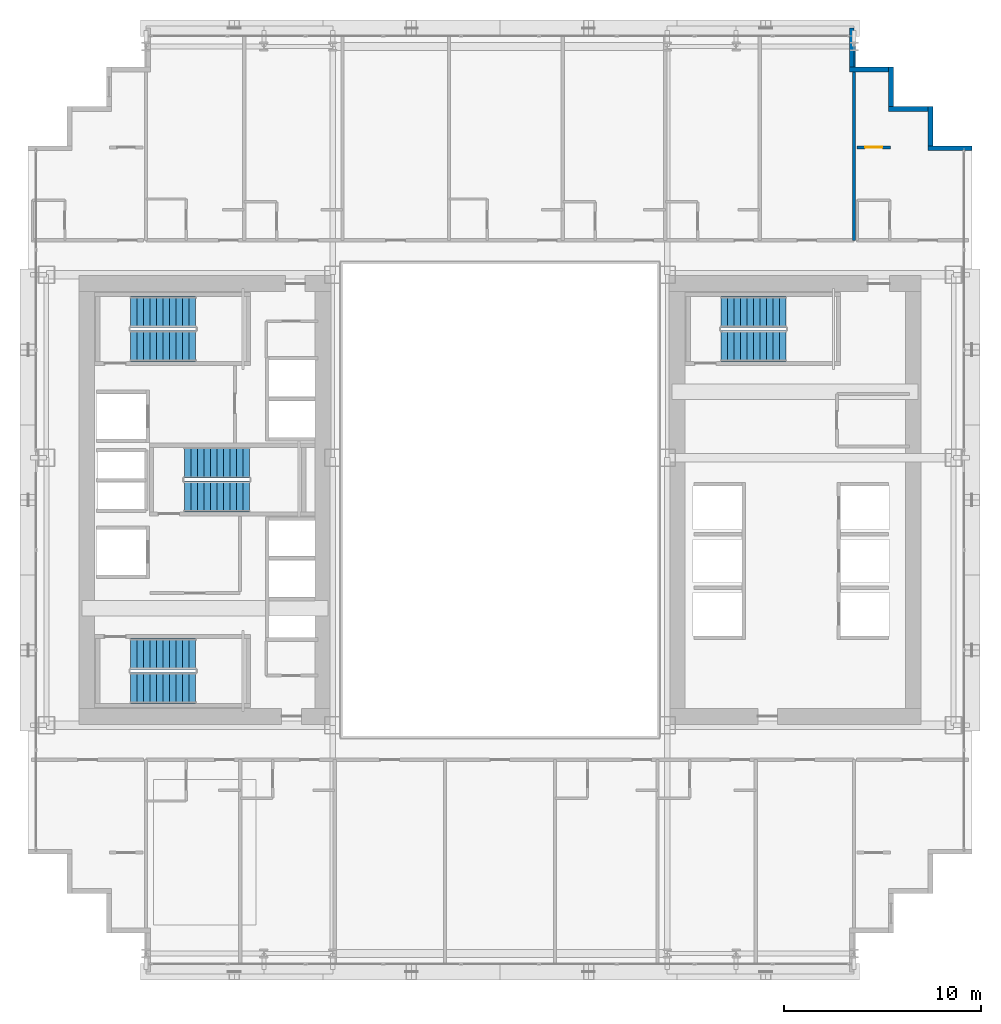
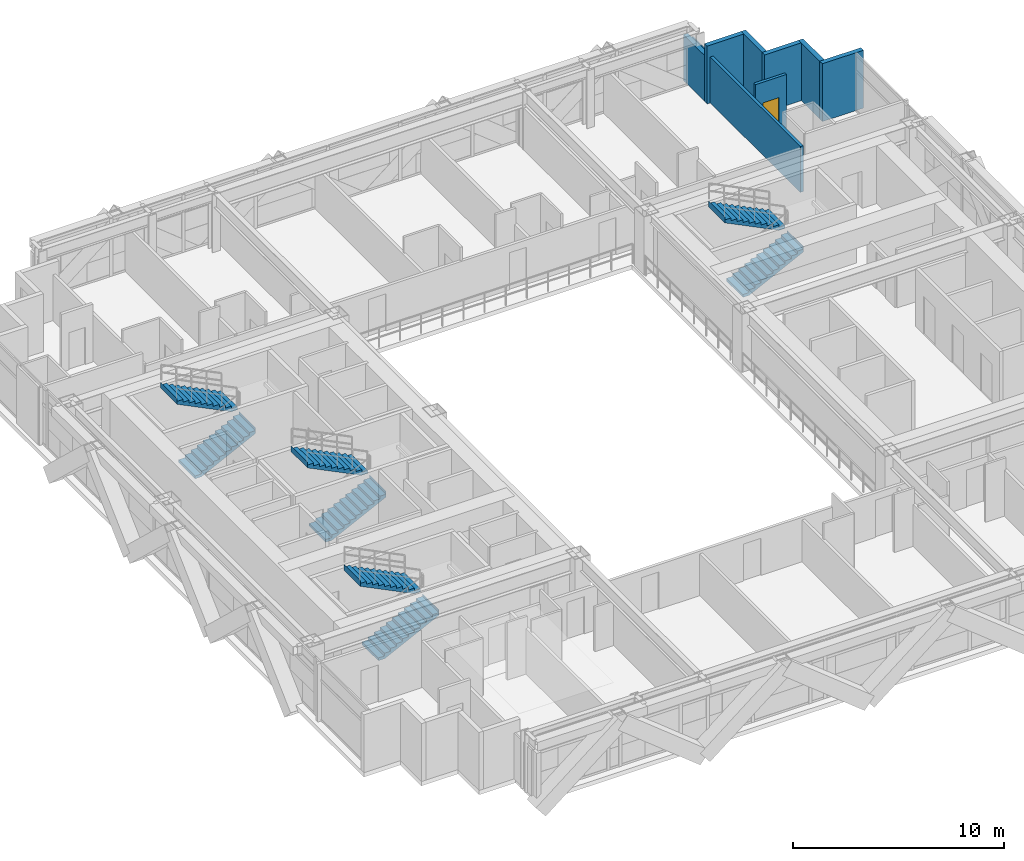
# One storey, part 31 of 35: 8 stair flights, 8 walls, 1 door, 1 opening, 4 elements without a shape of their own.
"""IFC4 building model written with IfcOpenShell, lengths in metres."""

import ifcopenshell
import ifcopenshell.guid

model = None  # the IFC model being written
_history = None  # IfcOwnerHistory: only IFC2X3 demands one
_inside = {}  # id of a spatial element -> (the spatial element, [elements in it])
_under = {}  # id of a project, library or spatial element -> (it, [spatial elements below it])
_declared = {}  # id of a project -> (the project, [libraries it declares])
_typed = {}  # id of a type object -> (the type object, [elements of that type])
_made_of = {}  # id of a material, layer set ... -> (it, [elements and type objects made of it])


def new_model(schema):
    """Start an empty IFC model of exactly this schema.

    Asked for "IFC4X3", IfcOpenShell would pick the latest addendum, in which some entities
    have other attributes; the version numbers below select the first issue.
    IFC2X3 requires an IfcOwnerHistory on every rooted entity: one is made here for all.
    """
    global model, _history
    if schema == "IFC4X3":
        model = ifcopenshell.file(schema_version=(4, 3, 0, 0))
    else:
        model = ifcopenshell.file(schema=schema)
    _inside.clear()
    _under.clear()
    _declared.clear()
    _typed.clear()
    _made_of.clear()
    _history = None
    if model.schema == "IFC2X3":
        org = make("IfcOrganization", Name="unknown")
        user = make(
            "IfcPersonAndOrganization",
            ThePerson=make("IfcPerson", FamilyName="unknown"),
            TheOrganization=org,
        )
        app = make(
            "IfcApplication",
            ApplicationDeveloper=org,
            Version="unknown",
            ApplicationFullName="unknown",
            ApplicationIdentifier="unknown",
        )
        _history = make(
            "IfcOwnerHistory",
            OwningUser=user,
            OwningApplication=app,
            ChangeAction="ADDED",
            CreationDate=0,
        )
    return model


def make(cls, **values):
    """One entity of the class cls with the attributes given. An attribute that is None is left unset."""
    return model.create_entity(
        cls, **{name: value for name, value in values.items() if value is not None}
    )


def rooted(cls, **values):
    """An entity with a GlobalId (a new one), such as an element, a storey or a relation."""
    return make(cls, GlobalId=ifcopenshell.guid.new(), OwnerHistory=_history, **values)


def si_unit(unit_type, name, prefix=None):
    """IfcSIUnit, for example si_unit("LENGTHUNIT", "METRE", prefix="MILLI")."""
    return make("IfcSIUnit", UnitType=unit_type, Prefix=prefix, Name=name)


def assignment(units):
    """IfcUnitAssignment: the units of a project."""
    return None if units is None else make("IfcUnitAssignment", Units=units)


def point(xyz):
    """IfcCartesianPoint."""
    return None if xyz is None else make("IfcCartesianPoint", Coordinates=xyz)


def direction(xyz):
    """IfcDirection."""
    return None if xyz is None else make("IfcDirection", DirectionRatios=xyz)


def frame(location, z_axis=None, x_axis=None):
    """IfcAxis2Placement3D, a coordinate frame: its origin and axes. An axis left out is left unset."""
    return make(
        "IfcAxis2Placement3D",
        Location=point(location),
        Axis=direction(z_axis),
        RefDirection=direction(x_axis),
    )


def frame_2d(location, x_axis=None):
    """IfcAxis2Placement2D, a coordinate frame in the plane: its origin and x axis."""
    return make(
        "IfcAxis2Placement2D", Location=point(location), RefDirection=direction(x_axis)
    )


def origin():
    """The frame at (0, 0, 0) with its axes left unset."""
    return frame((0.0, 0.0, 0.0))


def place(relative_to, where):
    """IfcLocalPlacement: puts the frame where relative to a parent placement (None: the world)."""
    return make(
        "IfcLocalPlacement", PlacementRelTo=relative_to, RelativePlacement=where
    )


def context(
    kind, dimensions, precision=None, world=None, true_north=None, identifier=None
):
    """IfcGeometricRepresentationContext, for example the 3D "Model" context."""
    return make(
        "IfcGeometricRepresentationContext",
        ContextIdentifier=identifier,
        ContextType=kind,
        CoordinateSpaceDimension=dimensions,
        Precision=precision,
        WorldCoordinateSystem=world,
        TrueNorth=true_north,
    )


def subcontext(parent, identifier, kind, view, scale=None):
    """IfcGeometricRepresentationSubContext, for example "Body" below "Model"."""
    return make(
        "IfcGeometricRepresentationSubContext",
        ContextIdentifier=identifier,
        ContextType=kind,
        ParentContext=parent,
        TargetScale=scale,
        TargetView=view,
    )


def project(units=None, contexts=None):
    """IfcProject with its units and contexts."""
    return rooted(
        "IfcProject",
        Name="project",
        RepresentationContexts=contexts,
        UnitsInContext=assignment(units),
    )


def spatial(cls, under=None, at=None, **own):
    """A site, building, storey or space (cls), placed at a placement, below another one or the project."""
    s = rooted(cls, ObjectPlacement=at, **own)
    if under is not None:
        _under.setdefault(under.id(), (under, []))[1].append(s)
    return s


def polyline(points):
    """IfcPolyline through the points."""
    return make("IfcPolyline", Points=[point(p) for p in points])


def profile(cls, at=None, kind="AREA", **sizes):
    """A parametric profile (cls). Its sizes go by their IFC names, for example OverallWidth=200.0."""
    return make(cls, ProfileType=kind, Position=at, **sizes)


def rectangle(**sizes):
    """IfcRectangleProfileDef."""
    return profile("IfcRectangleProfileDef", **sizes)


def outline(outer, holes=None, kind="AREA"):
    """IfcArbitraryClosedProfileDef: a profile drawn as a closed curve; with holes, ...WithVoids."""
    if holes is None:
        return make("IfcArbitraryClosedProfileDef", ProfileType=kind, OuterCurve=outer)
    return make(
        "IfcArbitraryProfileDefWithVoids",
        ProfileType=kind,
        OuterCurve=outer,
        InnerCurves=holes,
    )


def extrude(swept, where, along, depth):
    """IfcExtrudedAreaSolid: the profile swept, set in the frame where, extruded along a direction by depth."""
    return make(
        "IfcExtrudedAreaSolid",
        SweptArea=swept,
        Position=where,
        ExtrudedDirection=direction(along),
        Depth=depth,
    )


def shape(context_of_items, identifier, shape_type, items):
    """IfcShapeRepresentation: the items that make up one representation, for example the "Body"."""
    return make(
        "IfcShapeRepresentation",
        ContextOfItems=context_of_items,
        RepresentationIdentifier=identifier,
        RepresentationType=shape_type,
        Items=items,
    )


def source(mapping_origin, context_of_items, identifier, shape_type, items):
    """IfcRepresentationMap: a shape defined once, which mapped items show again and again."""
    return make(
        "IfcRepresentationMap",
        MappingOrigin=mapping_origin,
        MappedRepresentation=shape(context_of_items, identifier, shape_type, items),
    )


def transform(
    local_origin,
    x_axis=None,
    y_axis=None,
    z_axis=None,
    scale=None,
    scale2=None,
    scale3=None,
    uniform=True,
):
    """IfcCartesianTransformationOperator3D, or its non-uniform kind. x_axis, y_axis, z_axis: its Axis1, 2, 3."""
    if uniform:
        return make(
            "IfcCartesianTransformationOperator3D",
            Axis1=direction(x_axis),
            Axis2=direction(y_axis),
            LocalOrigin=point(local_origin),
            Scale=scale,
            Axis3=direction(z_axis),
        )
    return make(
        "IfcCartesianTransformationOperator3DnonUniform",
        Axis1=direction(x_axis),
        Axis2=direction(y_axis),
        LocalOrigin=point(local_origin),
        Scale=scale,
        Axis3=direction(z_axis),
        Scale2=scale2,
        Scale3=scale3,
    )


def mapped(mapping_source, mapping_target):
    """IfcMappedItem: shows the shape of a source again, moved by a transform."""
    return make(
        "IfcMappedItem", MappingSource=mapping_source, MappingTarget=mapping_target
    )


def material(Name=None, Category=None):
    """IfcMaterial."""
    return make("IfcMaterial", Name=Name, Category=Category)


def layer(
    of_material, thickness, ventilated=None, Name=None, Category=None, Priority=None
):
    """IfcMaterialLayer: one layer of a wall or slab, of a material (None: an air gap)."""
    return make(
        "IfcMaterialLayer",
        Material=of_material,
        LayerThickness=thickness,
        IsVentilated=ventilated,
        Name=Name,
        Category=Category,
        Priority=Priority,
    )


def layer_set(layers, Name=None):
    """IfcMaterialLayerSet."""
    return make("IfcMaterialLayerSet", MaterialLayers=layers, LayerSetName=Name)


def made_of(thing, what):
    """Note that an element or type object is made of a material, layer set ...; save() writes the relation."""
    if what is not None:
        _made_of.setdefault(what.id(), (what, []))[1].append(thing)
    return thing


def type_object(cls, material=None, **own):
    """A type object (cls), such as IfcWallType, which elements share."""
    return made_of(rooted(cls, **own), material)


def element(
    cls,
    number,
    at=None,
    inside=None,
    cuts=None,
    type_object=None,
    material=None,
    context=None,
    identifier="Body",
    shape_type=None,
    held_by="IfcProductDefinitionShape",
    body=None,
    shapes=None,
    **own,
):
    """One element of the class cls, such as IfcWall. Its Tag is "e" and its number.

    at: its placement. inside: the storey or other place that contains it. cuts: it is an
    opening in that element (IfcRelVoidsElement). A single representation is given by context,
    identifier, shape_type and body (its items); several are given by shapes. held_by: the class
    of the entity that holds the representations. save() writes the other relations.
    """
    e = rooted(cls, Tag="e%d" % number, ObjectPlacement=at, **own)
    if body is not None:
        shapes = [shape(context, identifier, shape_type, body)]
    if shapes is not None:
        e.Representation = make(held_by, Representations=shapes)
    if inside is not None:
        _inside.setdefault(inside.id(), (inside, []))[1].append(e)
    if cuts is not None:
        rooted(
            "IfcRelVoidsElement", RelatingBuildingElement=cuts, RelatedOpeningElement=e
        )
    if type_object is not None:
        _typed.setdefault(type_object.id(), (type_object, []))[1].append(e)
    return made_of(e, material)


def fill(opening, filler):
    """IfcRelFillsElement: the door or window that sits in an opening."""
    return rooted(
        "IfcRelFillsElement",
        RelatingOpeningElement=opening,
        RelatedBuildingElement=filler,
    )


def aggregate(whole, parts):
    """IfcRelAggregates: a whole, such as a stair, and the parts it consists of."""
    return rooted("IfcRelAggregates", RelatingObject=whole, RelatedObjects=parts)


def save(model, path):
    """Write the relations noted so far, then the file.

    IfcRelAggregates (storeys below a building ...), IfcRelContainedInSpatialStructure (elements
    in a storey), IfcRelDefinesByType, IfcRelAssociatesMaterial and IfcRelDeclares: one each for
    every whole, place, type object, material and project.
    """
    for whole, parts in _under.values():
        aggregate(whole, parts)
    for where, things in _inside.values():
        rooted(
            "IfcRelContainedInSpatialStructure",
            RelatedElements=things,
            RelatingStructure=where,
        )
    for kind, things in _typed.values():
        rooted("IfcRelDefinesByType", RelatedObjects=things, RelatingType=kind)
    for what, things in _made_of.values():
        rooted("IfcRelAssociatesMaterial", RelatedObjects=things, RelatingMaterial=what)
    for by, libraries in _declared.values():
        rooted("IfcRelDeclares", RelatingContext=by, RelatedDefinitions=libraries)
    model.write(path)


model = new_model("IFC4")

# Units and contexts
model_context = context("Model", 3, precision=1e-05, world=origin(), true_north=direction((0.0, 1.0)))
body_context = subcontext(model_context, "Body", "Model", "MODEL_VIEW")
ifc_project = project(units=[si_unit("LENGTHUNIT", "METRE"), si_unit("AREAUNIT", "SQUARE_METRE"), si_unit("VOLUMEUNIT", "CUBIC_METRE"), si_unit("PLANEANGLEUNIT", "RADIAN"), si_unit("MASSUNIT", "GRAM", prefix="KILO")], contexts=[model_context])

# Site, building, storey
site_placement = place(None, origin())
site = spatial("IfcSite", under=ifc_project, at=site_placement, CompositionType="ELEMENT")
building_placement = place(site_placement, origin())
building = spatial("IfcBuilding", under=site, at=building_placement, Name="Ocotamira Hotel", CompositionType="ELEMENT")
storey_placement = place(building_placement, frame((0.0, 0.0, 70.800048828125)))
storey = spatial("IfcBuildingStorey", under=building, at=storey_placement, Name="L17", CompositionType="ELEMENT", Elevation=70.800048828125)

# Walls
ifc_material_1 = material(Name="Precast concrete C45/55", Category="concrete")
ifc_layer_1 = layer(ifc_material_1, 0.25)
ifc_layer_set_1 = layer_set([ifc_layer_1], Name="Precast concrete C45/55")
wall_type_1 = type_object("IfcWallType", Name="WL-EXT-SER-250", PredefinedType="SOLIDWALL", material=ifc_layer_set_1)
wall_1_placement = place(storey_placement, frame((56.0, 43.875, 0.0), z_axis=(0.0, 0.0, 1.0), x_axis=(-1.0, 0.0, 0.0)))
element("IfcWall", 1, at=wall_1_placement, inside=storey, type_object=wall_type_1, Name="L17 Serrated Corner Wall 07", PredefinedType="SOLIDWALL", context=body_context, shape_type="SweptSolid", body=[
    extrude(rectangle(XDim=2.25, YDim=0.25, at=frame_2d((1.125, 0.0))), origin(), (0.0, 0.0, 1.0), 3.349853515625),
])
for number, where, z_axis, x_axis, name in (
    (2, (53.875, 44.0, 0.0), (0.0, 0.0, 1.0), (0.0, 1.0, 0.0), "L17 Serrated Corner Wall 08"),
    (3, (53.75, 45.875, 0.0), (0.0, 0.0, 1.0), (-1.0, 0.0, 0.0), "L17 Serrated Corner Wall 09"),
    (4, (51.875, 46.0, 0.0), (0.0, 0.0, 1.0), (0.0, 1.0, 0.0), "L17 Serrated Corner Wall 10"),
    (5, (51.75, 47.875, 0.0), (0.0, 0.0, 1.0), (-1.0, 0.0, 0.0), "L17 Serrated Corner Wall 11"),
):
    element("IfcWall", number, at=place(storey_placement, frame(where, z_axis=z_axis, x_axis=x_axis)), inside=storey, type_object=wall_type_1, Name=name, PredefinedType="SOLIDWALL", context=body_context, shape_type="SweptSolid", body=[
        extrude(rectangle(XDim=2.0, YDim=0.25, at=frame_2d((1.0, 0.0))), origin(), (0.0, 0.0, 1.0), 3.349853515625),
    ])
wall_2_placement = place(storey_placement, frame((49.875, 48.0, 0.0), z_axis=(0.0, 0.0, 1.0), x_axis=(0.0, 1.0, 0.0)))
element("IfcWall", 6, at=wall_2_placement, inside=storey, type_object=wall_type_1, Name="L17 Serrated Corner Wall 12", PredefinedType="SOLIDWALL", context=body_context, shape_type="SweptSolid", body=[
    extrude(rectangle(XDim=2.0, YDim=0.25, at=frame_2d((1.0, 0.0))), origin(), (0.0, 0.0, 1.0), 2.656982421875),
])

# Wall, opening, door
ifc_material_2 = material(Name="Acoustic double-layer fire gypsum board partition", Category="gypsum")
ifc_layer_2 = layer(ifc_material_2, 0.159912109375)
ifc_layer_set_2 = layer_set([ifc_layer_2], Name="Acoustic double-layer fire gypsum board partition")
wall_type_2 = type_object("IfcWallType", Name="WL-FIRE-160", PredefinedType="PARTITIONING", material=ifc_layer_set_2)
wall_3_placement = place(storey_placement, frame((50.14990234375, 43.919921875, 0.0), z_axis=(0.0, 0.0, 1.0), x_axis=(1.0, 0.0, 0.0)))
wall_3 = element("IfcWall", 7, at=wall_3_placement, inside=storey, type_object=wall_type_2, Name="L17 Interior Wall PW-L17-Z1D-CNE2-CW", PredefinedType="PARTITIONING", context=body_context, shape_type="SweptSolid", body=[
    extrude(rectangle(XDim=1.7001953125, YDim=0.159912109375, at=frame_2d((0.85009765625, 0.0))), origin(), (0.0, 0.0, 1.0), 3.349853515625),
])
opening_placement = place(wall_3_placement, frame((0.409912109375, 0.0, 0.0)))
opening = element("IfcOpeningElement", 8, at=opening_placement, cuts=wall_3, Name="Opening D-SV2", PredefinedType="OPENING", context=body_context, shape_type="SweptSolid", body=[
    extrude(rectangle(XDim=0.8798828125, YDim=2.14990234375, at=frame_2d((0.43994140625, 1.074951171875))), frame((0.0, 0.08984375, 0.0), z_axis=(0.0, -1.0, 0.0), x_axis=(1.0, 0.0, 0.0)), (0.0, 0.0, 1.0), 0.179931640625),
])
ifc_material_3 = material(Name="Fire-rated painted steel service door", Category="steel")
door_type = type_object("IfcDoorType", Name="DR-SERV-880", OperationType="NOTDEFINED", PredefinedType="DOOR", material=ifc_material_3)
shared_shape_1 = source(origin(), body_context, "Body", "SweptSolid", [
    extrude(rectangle(XDim=0.8798828125, YDim=2.14990234375, at=frame_2d((0.43994140625, 1.074951171875))), frame((0.0, 0.02490234375, 0.0), z_axis=(0.0, -1.0, 0.0), x_axis=(1.0, 0.0, 0.0)), (0.0, 0.0, 1.0), 0.050048828125),
])
door_placement = place(opening_placement, origin())
door = element("IfcDoor", 9, at=door_placement, inside=storey, type_object=door_type, Name="L17 Door ID-L17-Z1D-CNE2-CD [ID-L17-Z1D-CNE2-CD]", OperationType="SINGLE_SWING_LEFT", OverallHeight=2.14990234375, OverallWidth=0.8798828125, PredefinedType="DOOR", context=body_context, shape_type="MappedRepresentation", body=[
    mapped(shared_shape_1, transform((0.0, 0.0, 0.0), scale=1.0)),
])
fill(opening, door)

# Wall
ifc_material_4 = material(Name="Acoustic double-stud hospitality gypsum partition", Category="gypsum")
ifc_layer_3 = layer(ifc_material_4, 0.159912109375)
ifc_layer_set_3 = layer_set([ifc_layer_3], Name="Acoustic double-stud hospitality gypsum partition")
wall_type_3 = type_object("IfcWallType", Name="WL-PART-160", PredefinedType="PARTITIONING", material=ifc_layer_set_3)
wall_4_placement = place(storey_placement, frame((50.0, 39.199951171875, 0.0), z_axis=(0.0, 0.0, 1.0), x_axis=(0.0, 1.0, 0.0)))
element("IfcWall", 10, at=wall_4_placement, inside=storey, type_object=wall_type_3, Name="L17 Interior Wall PW-L17-Z1DN-PWEND", PredefinedType="PARTITIONING", context=body_context, shape_type="SweptSolid", body=[
    extrude(rectangle(XDim=10.43994140625, YDim=0.159912109375, at=frame_2d((5.219970703125, 0.0))), origin(), (0.0, 0.0, 1.0), 2.656982421875),
])

# Stair, stair flights
ifc_material_5 = material(Name="Concrete C40/50", Category="concrete")
stair_type = type_object("IfcStairType", Name="ST-CORE-1560", PredefinedType="HALF_TURN_STAIR", material=ifc_material_5)
stair_1_placement = place(storey_placement, origin())
stair_1 = element("IfcStair", 11, at=stair_1_placement, inside=storey, type_object=stair_type, Name="L17 Exit Stair ST-1", PredefinedType="HALF_TURN_STAIR")
stair_flight_type = type_object("IfcStairFlightType", Name="STF-CORE-1560", PredefinedType="STRAIGHT", material=ifc_material_5)
shared_shape_2 = source(origin(), body_context, "Body", "SweptSolid", [
    extrude(outline(polyline([(-0.00390625, 0.0), (-0.00390625, 0.16357421875), (0.330078125, 0.16357421875), (0.330078125, 0.327392578125), (0.659912109375, 0.327392578125), (0.659912109375, 0.490966796875), (0.989990234375, 0.490966796875), (0.989990234375, 0.654541015625), (1.320068359375, 0.654541015625), (1.320068359375, 0.818115234375), (1.64990234375, 0.818115234375), (1.64990234375, 0.98193359375), (1.97998046875, 0.98193359375), (1.97998046875, 1.1455078125), (2.31005859375, 1.1455078125), (2.31005859375, 1.30908203125), (2.639892578125, 1.30908203125), (2.639892578125, 1.47265625), (2.969970703125, 1.47265625), (2.969970703125, 1.636474609375), (3.300048828125, 1.636474609375), (3.300048828125, 1.800048828125), (3.303955078125, 1.800048828125), (3.303955078125, 1.468994140625), (0.33740234375, 0.0), (-0.00390625, 0.0)])), frame((0.0, 0.780029296875, 0.0), z_axis=(0.0, -1.0, 0.0), x_axis=(1.0, 0.0, 0.0)), (0.0, 0.0, 1.0), 1.56005859375),
])
stair_flight_1_placement = place(storey_placement, frame((13.22998046875, 16.449951171875, 0.0), z_axis=(0.0, 0.0, 1.0), x_axis=(1.0, 0.0, 0.0)))
stair_flight_1 = element("IfcStairFlight", 12, at=stair_flight_1_placement, type_object=stair_flight_type, Name="ST-1 flight 1", NumberOfRisers=11, NumberOfTreads=10, PredefinedType="STRAIGHT", RiserHeight=0.163636364, TreadLength=0.33, context=body_context, shape_type="MappedRepresentation", body=[
    mapped(shared_shape_2, transform((0.0, 0.0, 0.0), scale=1.0)),
])
stair_flight_2_placement = place(storey_placement, frame((16.530029296875, 18.169921875, 1.800048828125), z_axis=(0.0, 0.0, 1.0), x_axis=(-1.0, 0.0, 0.0)))
stair_flight_2 = element("IfcStairFlight", 13, at=stair_flight_2_placement, type_object=stair_flight_type, Name="ST-1 flight 2", NumberOfRisers=11, NumberOfTreads=10, PredefinedType="STRAIGHT", RiserHeight=0.163636364, TreadLength=0.33, context=body_context, shape_type="MappedRepresentation", body=[
    mapped(shared_shape_2, transform((0.0, 0.0, 0.0), scale=1.0)),
])
aggregate(stair_1, [stair_flight_1, stair_flight_2])

stair_2_placement = place(storey_placement, origin())
stair_2 = element("IfcStair", 14, at=stair_2_placement, inside=storey, type_object=stair_type, Name="L17 Exit Stair ST-2", PredefinedType="HALF_TURN_STAIR")
stair_flight_3_placement = place(storey_placement, frame((13.22998046875, 33.830078125, 0.0), z_axis=(0.0, 0.0, 1.0), x_axis=(1.0, 0.0, 0.0)))
stair_flight_3 = element("IfcStairFlight", 15, at=stair_flight_3_placement, type_object=stair_flight_type, Name="ST-2 flight 1", NumberOfRisers=11, NumberOfTreads=10, PredefinedType="STRAIGHT", RiserHeight=0.163636364, TreadLength=0.33, context=body_context, shape_type="MappedRepresentation", body=[
    mapped(shared_shape_2, transform((0.0, 0.0, 0.0), scale=1.0)),
])
stair_flight_4_placement = place(storey_placement, frame((16.530029296875, 35.550048828125, 1.800048828125), z_axis=(0.0, 0.0, 1.0), x_axis=(-1.0, 0.0, 0.0)))
stair_flight_4 = element("IfcStairFlight", 16, at=stair_flight_4_placement, type_object=stair_flight_type, Name="ST-2 flight 2", NumberOfRisers=11, NumberOfTreads=10, PredefinedType="STRAIGHT", RiserHeight=0.163636364, TreadLength=0.33, context=body_context, shape_type="MappedRepresentation", body=[
    mapped(shared_shape_2, transform((0.0, 0.0, 0.0), scale=1.0)),
])
aggregate(stair_2, [stair_flight_3, stair_flight_4])

stair_3_placement = place(storey_placement, origin())
stair_3 = element("IfcStair", 17, at=stair_3_placement, inside=storey, type_object=stair_type, Name="L17 Exit Stair ST-3", PredefinedType="HALF_TURN_STAIR")
stair_flight_5_placement = place(storey_placement, frame((15.9599609375, 26.179931640625, 0.0), z_axis=(0.0, 0.0, 1.0), x_axis=(1.0, 0.0, 0.0)))
stair_flight_5 = element("IfcStairFlight", 18, at=stair_flight_5_placement, type_object=stair_flight_type, Name="ST-3 flight 1", NumberOfRisers=11, NumberOfTreads=10, PredefinedType="STRAIGHT", RiserHeight=0.163636364, TreadLength=0.33, context=body_context, shape_type="MappedRepresentation", body=[
    mapped(shared_shape_2, transform((0.0, 0.0, 0.0), scale=1.0)),
])
stair_flight_6_placement = place(storey_placement, frame((19.260009765625, 27.89990234375, 1.800048828125), z_axis=(0.0, 0.0, 1.0), x_axis=(-1.0, 0.0, 0.0)))
stair_flight_6 = element("IfcStairFlight", 19, at=stair_flight_6_placement, type_object=stair_flight_type, Name="ST-3 flight 2", NumberOfRisers=11, NumberOfTreads=10, PredefinedType="STRAIGHT", RiserHeight=0.163636364, TreadLength=0.33, context=body_context, shape_type="MappedRepresentation", body=[
    mapped(shared_shape_2, transform((0.0, 0.0, 0.0), scale=1.0)),
])
aggregate(stair_3, [stair_flight_5, stair_flight_6])

stair_4_placement = place(storey_placement, origin())
stair_4 = element("IfcStair", 20, at=stair_4_placement, inside=storey, type_object=stair_type, Name="L17 Exit Stair ST-4", PredefinedType="HALF_TURN_STAIR")
stair_flight_7_placement = place(storey_placement, frame((43.22998046875, 33.830078125, 0.0), z_axis=(0.0, 0.0, 1.0), x_axis=(1.0, 0.0, 0.0)))
stair_flight_7 = element("IfcStairFlight", 21, at=stair_flight_7_placement, type_object=stair_flight_type, Name="ST-4 flight 1", NumberOfRisers=11, NumberOfTreads=10, PredefinedType="STRAIGHT", RiserHeight=0.163636364, TreadLength=0.33, context=body_context, shape_type="MappedRepresentation", body=[
    mapped(shared_shape_2, transform((0.0, 0.0, 0.0), scale=1.0)),
])
stair_flight_8_placement = place(storey_placement, frame((46.530029296875, 35.550048828125, 1.800048828125), z_axis=(0.0, 0.0, 1.0), x_axis=(-1.0, 0.0, 0.0)))
stair_flight_8 = element("IfcStairFlight", 22, at=stair_flight_8_placement, type_object=stair_flight_type, Name="ST-4 flight 2", NumberOfRisers=11, NumberOfTreads=10, PredefinedType="STRAIGHT", RiserHeight=0.163636364, TreadLength=0.33, context=body_context, shape_type="MappedRepresentation", body=[
    mapped(shared_shape_2, transform((0.0, 0.0, 0.0), scale=1.0)),
])
aggregate(stair_4, [stair_flight_7, stair_flight_8])

save(model, "model.ifc")
